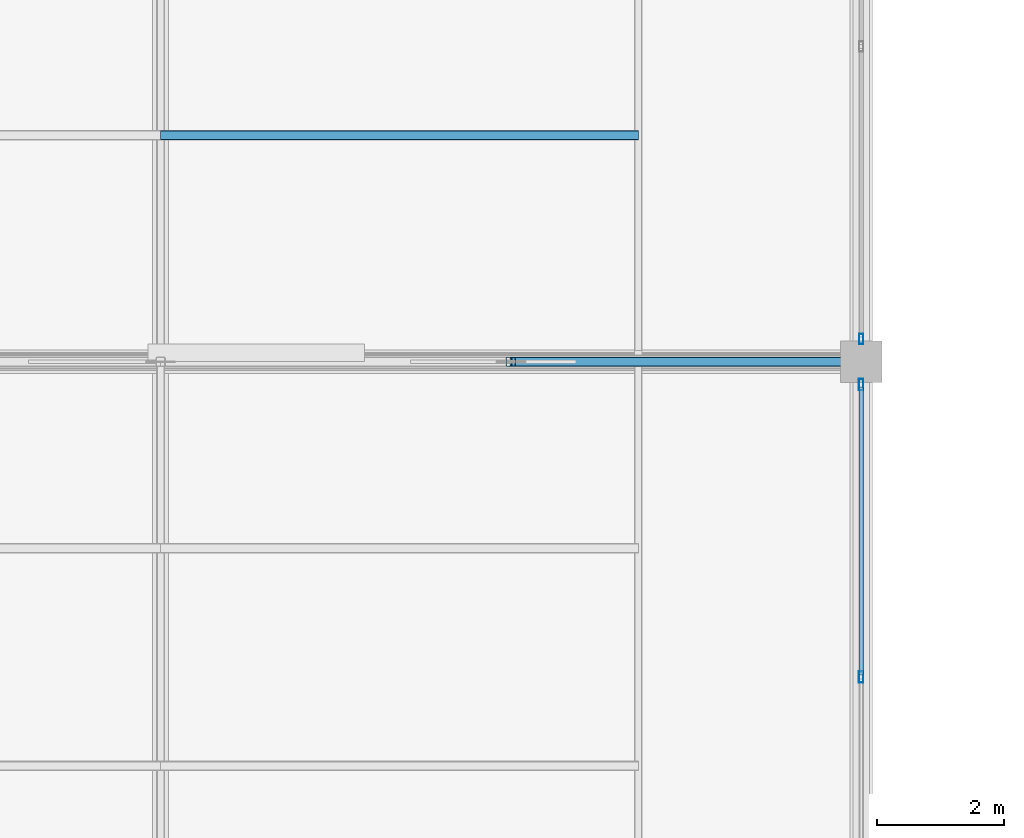
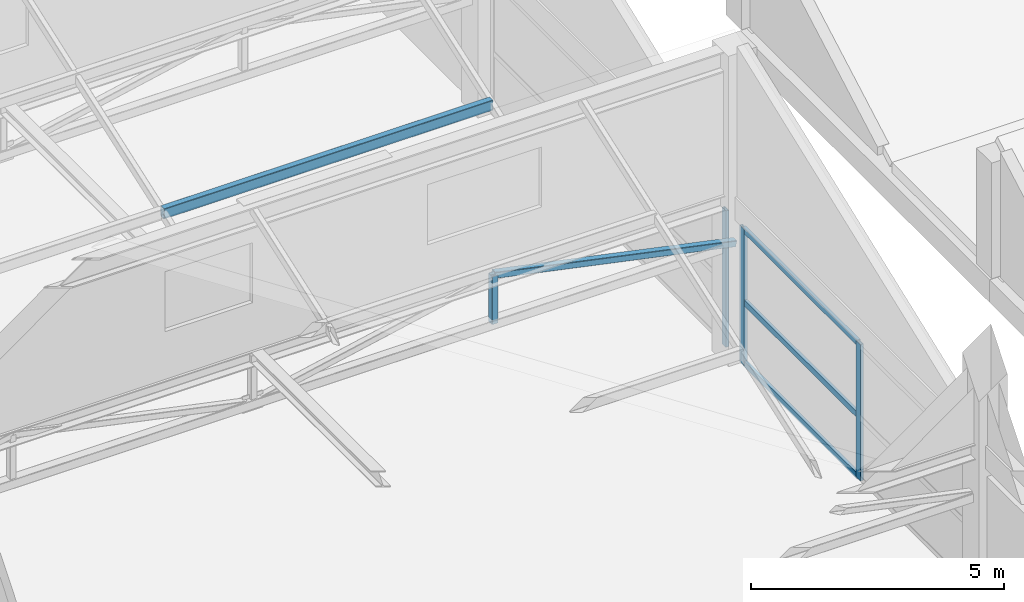
# One storey, part 14 of 35: 9 members, 2 elements without a shape of their own.
"""IFC4 building model written with IfcOpenShell, lengths in metres."""

from ifc_helpers import new_model, si_unit, direction, frame, origin, origin_2d, place, context, subcontext, project, spatial, hollow_rectangle, extrude, material, layer, layer_set, material_profile, profile_set, type_object, element, aggregate, save


model = new_model("IFC4")

# Units and contexts
model_context = context("Model", 3, precision=1e-05, world=origin(), true_north=direction((0.0, 1.0)))
body_context = subcontext(model_context, "Body", "Model", "MODEL_VIEW")
ifc_project = project(units=[si_unit("LENGTHUNIT", "METRE"), si_unit("AREAUNIT", "SQUARE_METRE"), si_unit("VOLUMEUNIT", "CUBIC_METRE"), si_unit("PLANEANGLEUNIT", "RADIAN"), si_unit("MASSUNIT", "GRAM", prefix="KILO")], contexts=[model_context])

# Site, building, storey
site_placement = place(None, origin())
site = spatial("IfcSite", under=ifc_project, at=site_placement, CompositionType="ELEMENT")
building_placement = place(site_placement, origin())
building = spatial("IfcBuilding", under=site, at=building_placement, Name="Sillaruma Civic Art Gallery", CompositionType="ELEMENT")
storey_placement = place(building_placement, frame((0.0, 0.0, 74.4599609375)))
storey = spatial("IfcBuildingStorey", under=building, at=storey_placement, Name="L15", CompositionType="ELEMENT", Elevation=74.4599609375)

# Member
ifc_material_1 = material(Name="Structural Steel ASTM A500 Gr.C", Category="steel")
ifc_material_profile_1 = material_profile(ifc_material_1, hollow_rectangle(XDim=0.14990234375, YDim=0.14990234375, WallThickness=0.010009765625, InnerFilletRadius=0.010009765625, OuterFilletRadius=0.02001953125, at=origin_2d()), Name="HSS150x150x10")
ifc_profile_set_1 = profile_set([ifc_material_profile_1], Name="Structural Steel ASTM A500 Gr.C")
member_type_1 = type_object("IfcMemberType", Name="MEM-BRACE-HSS150x150x10", PredefinedType="BRACE", material=ifc_profile_set_1)
member_1_placement = place(storey_placement, frame((86.5, 59.39990234375, 3.858154296875), z_axis=(0.978538722809, 0.0, -0.206063019398), x_axis=(0.0, 1.0, 0.0)))
element("IfcMember", 1, at=member_1_placement, inside=storey, type_object=member_type_1, Name="Warren Truss Diagonal TR-L15-3-D4", PredefinedType="BRACE", context=body_context, shape_type="SweptSolid", body=[
    extrude(hollow_rectangle(XDim=0.14990234375, YDim=0.14990234375, WallThickness=0.010009765625, InnerFilletRadius=0.010009765625, OuterFilletRadius=0.02001953125, at=origin_2d()), origin(), (0.0, 0.0, 1.0), 5.62060546875),
])

# Curtain wall, member
ifc_material_2 = material(Name="Thermally Broken Extruded Aluminium 6063-T6", Category="aluminium")
ifc_layer_1 = layer(ifc_material_2, 0.159912109375, Name="Thermally Broken Extruded Aluminium 6063-T6")
ifc_layer_set_1 = layer_set([ifc_layer_1], Name="Thermally Broken Extruded Aluminium 6063-T6")
curtain_wall_type_1 = type_object("IfcCurtainWallType", Name="CW-UNI-114", PredefinedType="NOTDEFINED", material=ifc_layer_set_1)
curtain_wall_1_placement = place(storey_placement, origin())
curtain_wall_1 = element("IfcCurtainWall", 2, at=curtain_wall_1_placement, inside=storey, type_object=curtain_wall_type_1, Name="Unitised Curtain Wall CW-114 (CW-L15-WBE-5)", PredefinedType="NOTDEFINED")
ifc_material_profile_2 = material_profile(ifc_material_2, hollow_rectangle(XDim=0.06494140625, YDim=0.159912109375, WallThickness=0.00390625, at=origin_2d()), Name="CWM65x160")
ifc_profile_set_2 = profile_set([ifc_material_profile_2], Name="Thermally Broken Extruded Aluminium 6063-T6")
member_type_2 = type_object("IfcMemberType", Name="MEM-MUL-CWM65x160", PredefinedType="MULLION", material=ifc_profile_set_2)
member_2_placement = place(storey_placement, frame((92.0, 59.757568359375, 0.0), z_axis=(0.0, 0.0, 1.0), x_axis=(-1.0, 0.0, 0.0)))
member_2 = element("IfcMember", 3, at=member_2_placement, type_object=member_type_2, Name="CW-114 mullion 1", PredefinedType="MULLION", context=body_context, shape_type="SweptSolid", body=[
    extrude(hollow_rectangle(XDim=0.06494140625, YDim=0.159912109375, WallThickness=0.00390625, at=origin_2d()), origin(), (0.0, 0.0, 1.0), 3.2900390625),
])
aggregate(curtain_wall_1, [member_2])

# Curtain wall, members
ifc_layer_2 = layer(ifc_material_2, 0.179931640625, Name="Thermally Broken Extruded Aluminium 6063-T6")
ifc_layer_set_2 = layer_set([ifc_layer_2], Name="Thermally Broken Extruded Aluminium 6063-T6")
curtain_wall_type_2 = type_object("IfcCurtainWallType", Name="CW-UNI-112", PredefinedType="NOTDEFINED", material=ifc_layer_set_2)
curtain_wall_2_placement = place(storey_placement, origin())
curtain_wall_2 = element("IfcCurtainWall", 4, at=curtain_wall_2_placement, inside=storey, type_object=curtain_wall_type_2, Name="Unitised Curtain Wall CW-112 (CW-L15-WBE-4)", PredefinedType="NOTDEFINED")
ifc_material_profile_3 = material_profile(ifc_material_2, hollow_rectangle(XDim=0.070068359375, YDim=0.179931640625, WallThickness=0.00390625, at=origin_2d()), Name="CWM70x180")
ifc_profile_set_3 = profile_set([ifc_material_profile_3], Name="Thermally Broken Extruded Aluminium 6063-T6")
member_type_3 = type_object("IfcMemberType", Name="MEM-MUL-CWM70x180", PredefinedType="MULLION", material=ifc_profile_set_3)
member_3_placement = place(storey_placement, frame((92.0, 54.449951171875, 0.0), z_axis=(0.0, 0.0, 1.0), x_axis=(-1.0, 0.0, 0.0)))
member_3 = element("IfcMember", 5, at=member_3_placement, type_object=member_type_3, Name="CW-112 mullion 2", PredefinedType="MULLION", context=body_context, shape_type="SweptSolid", body=[
    extrude(hollow_rectangle(XDim=0.070068359375, YDim=0.179931640625, WallThickness=0.00390625, at=origin_2d()), origin(), (0.0, 0.0, 1.0), 3.2900390625),
])
member_4_placement = place(storey_placement, frame((92.0, 59.0400390625, 0.0), z_axis=(0.0, 0.0, 1.0), x_axis=(-1.0, 0.0, 0.0)))
member_4 = element("IfcMember", 6, at=member_4_placement, type_object=member_type_3, Name="CW-112 mullion 3", PredefinedType="MULLION", context=body_context, shape_type="SweptSolid", body=[
    extrude(hollow_rectangle(XDim=0.070068359375, YDim=0.179931640625, WallThickness=0.00390625, at=origin_2d()), origin(), (0.0, 0.0, 1.0), 3.2900390625),
])

# Members
ifc_material_profile_4 = material_profile(ifc_material_1, hollow_rectangle(XDim=0.14990234375, YDim=0.14990234375, WallThickness=0.010009765625, InnerFilletRadius=0.010009765625, OuterFilletRadius=0.02001953125, at=origin_2d()), Name="HSS150x150x10")
ifc_profile_set_4 = profile_set([ifc_material_profile_4], Name="Structural Steel ASTM A500 Gr.C")
member_type_4 = type_object("IfcMemberType", Name="MEM-POST-HSS150x150x10", PredefinedType="POST", material=ifc_profile_set_4)
member_5_placement = place(storey_placement, frame((86.5, 59.39990234375, 2.699951171875), z_axis=(0.0, 0.0, 1.0), x_axis=(1.0, 0.0, 0.0)))
element("IfcMember", 7, at=member_5_placement, inside=storey, type_object=member_type_4, Name="Warren Truss Vertical Post TR-L15-3-V3", PredefinedType="POST", context=body_context, shape_type="SweptSolid", body=[
    extrude(hollow_rectangle(XDim=0.14990234375, YDim=0.14990234375, WallThickness=0.010009765625, InnerFilletRadius=0.010009765625, OuterFilletRadius=0.02001953125, at=origin_2d()), origin(), (0.0, 0.0, 1.0), 1.158203125),
])
ifc_material_profile_5 = material_profile(ifc_material_1, hollow_rectangle(XDim=0.14990234375, YDim=0.25, WallThickness=0.010009765625, InnerFilletRadius=0.010009765625, OuterFilletRadius=0.02001953125, at=origin_2d()), Name="HSS250x150x10")
ifc_profile_set_5 = profile_set([ifc_material_profile_5], Name="Structural Steel ASTM A500 Gr.C")
member_type_5 = type_object("IfcMemberType", Name="MEM-PUR-HSS250", PredefinedType="PURLIN", material=ifc_profile_set_5)
member_6_placement = place(storey_placement, frame((81.0, 62.9560546875, 5.111083984375), z_axis=(1.0, 0.0, 0.0), x_axis=(0.0, 1.0, 0.0)))
element("IfcMember", 8, at=member_6_placement, inside=storey, type_object=member_type_5, Name="Sawtooth Roof Steel Purlin (3.1.3)", PredefinedType="PURLIN", context=body_context, shape_type="SweptSolid", body=[
    extrude(hollow_rectangle(XDim=0.14990234375, YDim=0.25, WallThickness=0.010009765625, InnerFilletRadius=0.010009765625, OuterFilletRadius=0.02001953125, at=origin_2d()), origin(), (0.0, 0.0, 1.0), 7.5),
])

# Member
ifc_material_profile_6 = material_profile(ifc_material_2, hollow_rectangle(XDim=0.070068359375, YDim=0.139892578125, WallThickness=0.00390625, at=origin_2d()), Name="CWT70x140")
ifc_profile_set_6 = profile_set([ifc_material_profile_6], Name="Thermally Broken Extruded Aluminium 6063-T6")
member_type_6 = type_object("IfcMemberType", Name="MEM-TRN-CWT70x140", PredefinedType="USERDEFINED", material=ifc_profile_set_6)
member_7_placement = place(storey_placement, frame((92.0, 54.485107421875, 0.03515625), z_axis=(0.0, 1.0, 0.0), x_axis=(-1.0, 0.0, 0.0)))
member_7 = element("IfcMember", 9, at=member_7_placement, type_object=member_type_6, Name="CW-112 transom 2.1", ObjectType="TRANSOM", PredefinedType="USERDEFINED", context=body_context, shape_type="SweptSolid", body=[
    extrude(hollow_rectangle(XDim=0.070068359375, YDim=0.139892578125, WallThickness=0.00390625, at=origin_2d()), origin(), (0.0, 0.0, 1.0), 4.519775390625),
])

member_8_placement = place(storey_placement, frame((92.0, 54.485107421875, 1.513427734375), z_axis=(0.0, 1.0, 0.0), x_axis=(-1.0, 0.0, 0.0)))
member_8 = element("IfcMember", 10, at=member_8_placement, type_object=member_type_6, Name="CW-112 transom 2.2", ObjectType="TRANSOM", PredefinedType="USERDEFINED", context=body_context, shape_type="SweptSolid", body=[
    extrude(hollow_rectangle(XDim=0.070068359375, YDim=0.139892578125, WallThickness=0.00390625, at=origin_2d()), origin(), (0.0, 0.0, 1.0), 4.519775390625),
])

member_9_placement = place(storey_placement, frame((92.0, 54.485107421875, 3.255126953125), z_axis=(0.0, 1.0, 0.0), x_axis=(-1.0, 0.0, 0.0)))
member_9 = element("IfcMember", 11, at=member_9_placement, type_object=member_type_6, Name="CW-112 transom 2.3", ObjectType="TRANSOM", PredefinedType="USERDEFINED", context=body_context, shape_type="SweptSolid", body=[
    extrude(hollow_rectangle(XDim=0.070068359375, YDim=0.139892578125, WallThickness=0.00390625, at=origin_2d()), origin(), (0.0, 0.0, 1.0), 4.519775390625),
])

aggregate(curtain_wall_2, [member_3, member_4, member_7, member_8, member_9])

save(model, "model.ifc")
